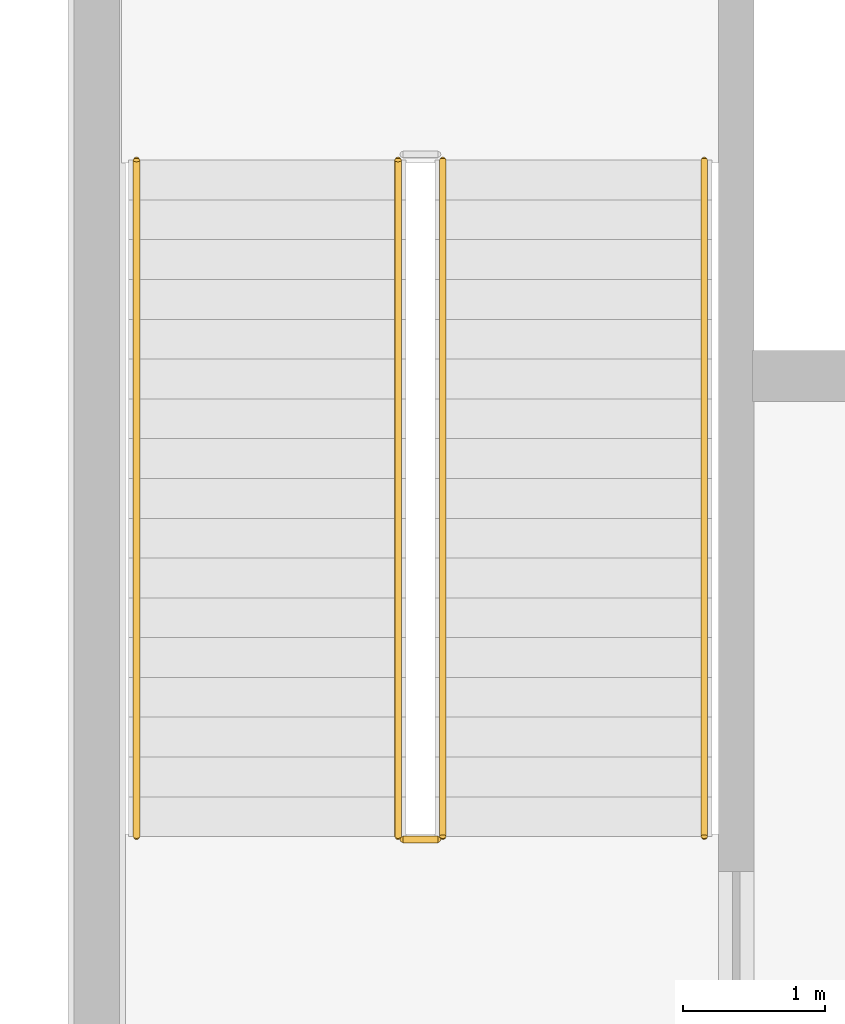
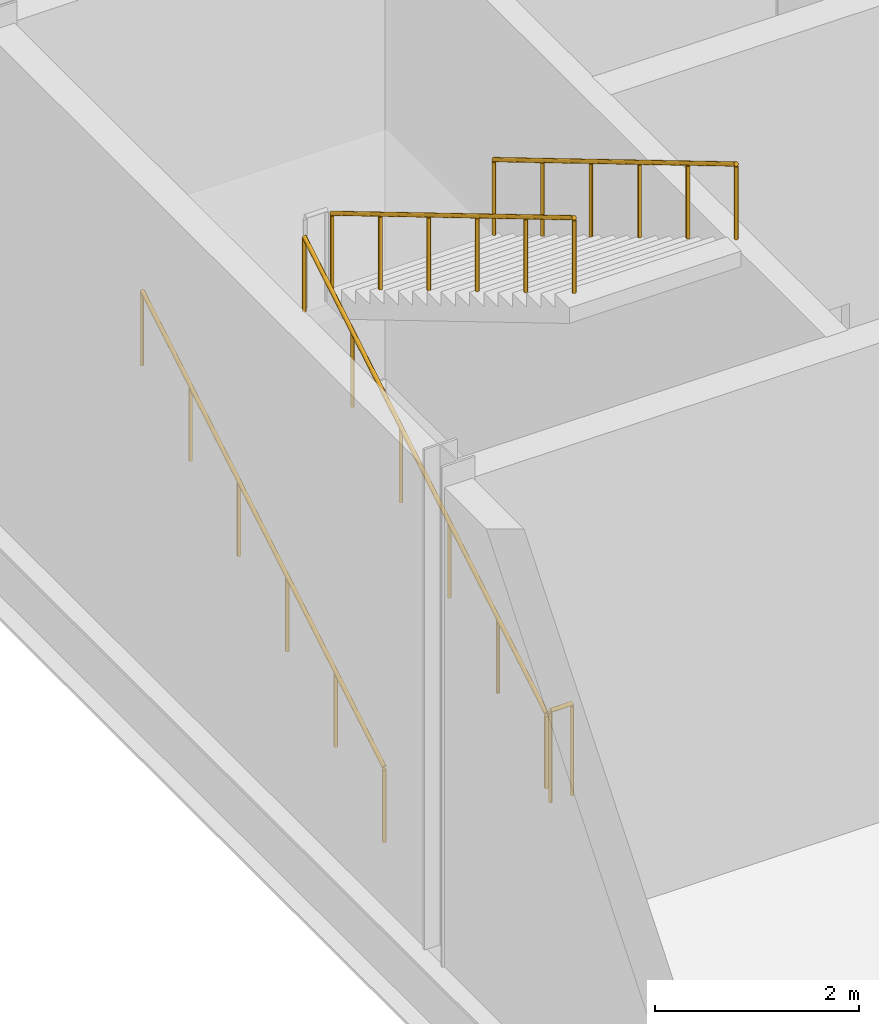
# One storey, part 140 of 159: 5 railings.
"""IFC4 building model written with IfcOpenShell, lengths in metres."""

from ifc_helpers import new_model, si_unit, direction, frame, origin, origin_2d, place, context, subcontext, project, spatial, circle, extrude, material, type_object, element, save


model = new_model("IFC4")

# Units and contexts
model_context = context("Model", 3, precision=1e-05, world=origin(), true_north=direction((0.0, 1.0)))
body_context = subcontext(model_context, "Body", "Model", "MODEL_VIEW")
ifc_project = project(units=[si_unit("LENGTHUNIT", "METRE"), si_unit("AREAUNIT", "SQUARE_METRE"), si_unit("VOLUMEUNIT", "CUBIC_METRE"), si_unit("PLANEANGLEUNIT", "RADIAN"), si_unit("MASSUNIT", "GRAM", prefix="KILO")], contexts=[model_context])

# Site, building, storey
site_placement = place(None, origin())
site = spatial("IfcSite", under=ifc_project, at=site_placement, CompositionType="ELEMENT")
building_placement = place(site_placement, origin())
building = spatial("IfcBuilding", under=site, at=building_placement, Name="Cazmaro Siding Exhibition Halls", CompositionType="ELEMENT")
storey_placement = place(building_placement, frame((0.0, 0.0, 6.0)))
storey = spatial("IfcBuildingStorey", under=building, at=storey_placement, Name="L01", CompositionType="ELEMENT", Elevation=6.0)

# Railings
ifc_material_1 = material(Name="Painted Steel Stairwell Guardrail", Category="steel")
railing_type_1 = type_object("IfcRailingType", Name="RL-GRD-01", PredefinedType="GUARDRAIL", material=ifc_material_1)
railing_1_placement = place(storey_placement, frame((2.155029296875, 46.139892578125, 0.0)))
element("IfcRailing", 1, at=railing_1_placement, inside=storey, type_object=railing_type_1, Name="Core C6 L01 Landing Slot Guard RL-GRD-01 RL-SG022", PredefinedType="GUARDRAIL", context=body_context, shape_type="SweptSolid", body=[
    extrude(circle(Radius=0.02392578125, at=origin_2d()), frame((0.0, 0.0, 1.09619140625), z_axis=(1.0, 0.0, 0.0), x_axis=(0.0, 1.0, 0.0)), (0.0, 0.0, 1.0), 0.244873046875),
    extrude(circle(Radius=0.02099609375, at=origin_2d()), origin(), (0.0, 0.0, 1.0), 1.072021484375),
    extrude(circle(Radius=0.02099609375, at=origin_2d()), frame((0.244873046875, 0.0, 0.0)), (0.0, 0.0, 1.0), 1.072021484375),
])
ifc_material_2 = material(Name="Brushed Stainless Steel Tubular Handrail", Category="steel")
railing_type_2 = type_object("IfcRailingType", Name="RL-HR-01", PredefinedType="HANDRAIL", material=ifc_material_2)
railing_2_placement = place(storey_placement, frame((0.280029296875, 46.159912109375, 0.1669921875)))
element("IfcRailing", 2, at=railing_2_placement, inside=storey, type_object=railing_type_2, Name="ST-12 Flight 1 Handrail 1", PredefinedType="HANDRAIL", context=body_context, shape_type="SweptSolid", body=[
    extrude(circle(Radius=0.02392578125, at=origin_2d()), frame((0.0, 0.0, 0.89599609375), z_axis=(0.0, 0.859319172962, 0.511439692417), x_axis=(-1.0, 0.0, 0.0)), (0.0, 0.0, 1.0), 5.539306640625),
    extrude(circle(Radius=0.02099609375, at=origin_2d()), origin(), (0.0, 0.0, 1.0), 0.871826171875),
    extrude(circle(Radius=0.02099609375, at=origin_2d()), frame((0.0, 0.951904296875, 0.566650390625)), (0.0, 0.0, 1.0), 0.871826171875),
    extrude(circle(Radius=0.02099609375, at=origin_2d()), frame((0.0, 1.904052734375, 1.13330078125)), (0.0, 0.0, 1.0), 0.871826171875),
    extrude(circle(Radius=0.02099609375, at=origin_2d()), frame((0.0, 2.85595703125, 1.69970703125)), (0.0, 0.0, 1.0), 0.871826171875),
    extrude(circle(Radius=0.02099609375, at=origin_2d()), frame((0.0, 3.80810546875, 2.266357421875)), (0.0, 0.0, 1.0), 0.871826171875),
    extrude(circle(Radius=0.02099609375, at=origin_2d()), frame((0.0, 4.760009765625, 2.8330078125)), (0.0, 0.0, 1.0), 0.871826171875),
])
railing_3_placement = place(storey_placement, frame((2.43505859375, 50.919921875, 3.1669921875)))
element("IfcRailing", 3, at=railing_3_placement, inside=storey, type_object=railing_type_2, Name="ST-12 Flight 2 Handrail 1", PredefinedType="HANDRAIL", context=body_context, shape_type="SweptSolid", body=[
    extrude(circle(Radius=0.02392578125, at=origin_2d()), frame((0.0, 0.0, 0.89599609375), z_axis=(0.0, -0.859319172962, 0.511439692417), x_axis=(1.0, 0.0, 0.0)), (0.0, 0.0, 1.0), 5.539306640625),
    extrude(circle(Radius=0.02099609375, at=origin_2d()), origin(), (0.0, 0.0, 1.0), 0.871826171875),
    extrude(circle(Radius=0.02099609375, at=origin_2d()), frame((0.0, -0.951904296875, 0.566650390625)), (0.0, 0.0, 1.0), 0.871826171875),
    extrude(circle(Radius=0.02099609375, at=origin_2d()), frame((0.0, -1.904052734375, 1.13330078125)), (0.0, 0.0, 1.0), 0.871826171875),
    extrude(circle(Radius=0.02099609375, at=origin_2d()), frame((0.0, -2.85595703125, 1.69970703125)), (0.0, 0.0, 1.0), 0.871826171875),
    extrude(circle(Radius=0.02099609375, at=origin_2d()), frame((0.0, -3.80810546875, 2.266357421875)), (0.0, 0.0, 1.0), 0.871826171875),
    extrude(circle(Radius=0.02099609375, at=origin_2d()), frame((0.0, -4.760009765625, 2.8330078125)), (0.0, 0.0, 1.0), 0.871826171875),
])
railing_4_placement = place(storey_placement, frame((2.1201171875, 46.159912109375, 0.1669921875)))
element("IfcRailing", 4, at=railing_4_placement, inside=storey, type_object=railing_type_2, Name="ST-12 Flight 1 Handrail 2", PredefinedType="HANDRAIL", context=body_context, shape_type="SweptSolid", body=[
    extrude(circle(Radius=0.02392578125, at=origin_2d()), frame((0.0, 0.0, 0.89599609375), z_axis=(0.0, 0.859319172962, 0.511439692417), x_axis=(-1.0, 0.0, 0.0)), (0.0, 0.0, 1.0), 5.539306640625),
    extrude(circle(Radius=0.02099609375, at=origin_2d()), origin(), (0.0, 0.0, 1.0), 0.871826171875),
    extrude(circle(Radius=0.02099609375, at=origin_2d()), frame((0.0, 0.951904296875, 0.566650390625)), (0.0, 0.0, 1.0), 0.871826171875),
    extrude(circle(Radius=0.02099609375, at=origin_2d()), frame((0.0, 1.904052734375, 1.13330078125)), (0.0, 0.0, 1.0), 0.871826171875),
    extrude(circle(Radius=0.02099609375, at=origin_2d()), frame((0.0, 2.85595703125, 1.69970703125)), (0.0, 0.0, 1.0), 0.871826171875),
    extrude(circle(Radius=0.02099609375, at=origin_2d()), frame((0.0, 3.80810546875, 2.266357421875)), (0.0, 0.0, 1.0), 0.871826171875),
    extrude(circle(Radius=0.02099609375, at=origin_2d()), frame((0.0, 4.760009765625, 2.8330078125)), (0.0, 0.0, 1.0), 0.871826171875),
])
railing_5_placement = place(storey_placement, frame((4.27490234375, 50.919921875, 3.1669921875)))
element("IfcRailing", 5, at=railing_5_placement, inside=storey, type_object=railing_type_2, Name="ST-12 Flight 2 Handrail 2", PredefinedType="HANDRAIL", context=body_context, shape_type="SweptSolid", body=[
    extrude(circle(Radius=0.02392578125, at=origin_2d()), frame((0.0, 0.0, 0.89599609375), z_axis=(0.0, -0.859319172962, 0.511439692417), x_axis=(1.0, 0.0, 0.0)), (0.0, 0.0, 1.0), 5.539306640625),
    extrude(circle(Radius=0.02099609375, at=origin_2d()), origin(), (0.0, 0.0, 1.0), 0.871826171875),
    extrude(circle(Radius=0.02099609375, at=origin_2d()), frame((0.0, -0.951904296875, 0.566650390625)), (0.0, 0.0, 1.0), 0.871826171875),
    extrude(circle(Radius=0.02099609375, at=origin_2d()), frame((0.0, -1.904052734375, 1.13330078125)), (0.0, 0.0, 1.0), 0.871826171875),
    extrude(circle(Radius=0.02099609375, at=origin_2d()), frame((0.0, -2.85595703125, 1.69970703125)), (0.0, 0.0, 1.0), 0.871826171875),
    extrude(circle(Radius=0.02099609375, at=origin_2d()), frame((0.0, -3.80810546875, 2.266357421875)), (0.0, 0.0, 1.0), 0.871826171875),
    extrude(circle(Radius=0.02099609375, at=origin_2d()), frame((0.0, -4.760009765625, 2.8330078125)), (0.0, 0.0, 1.0), 0.871826171875),
])

save(model, "model.ifc")
